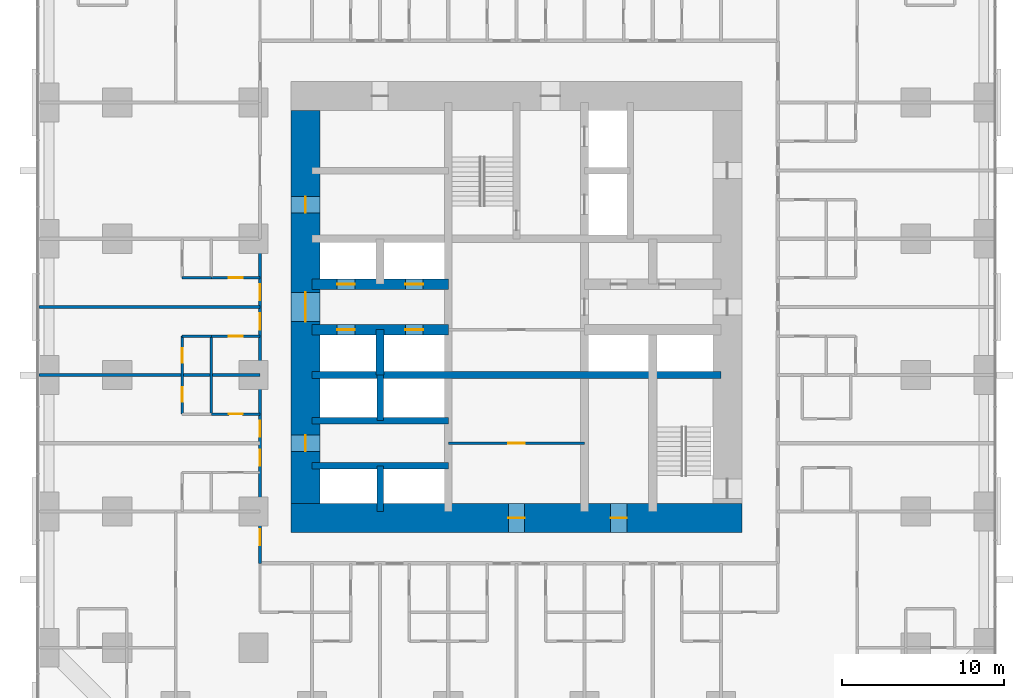
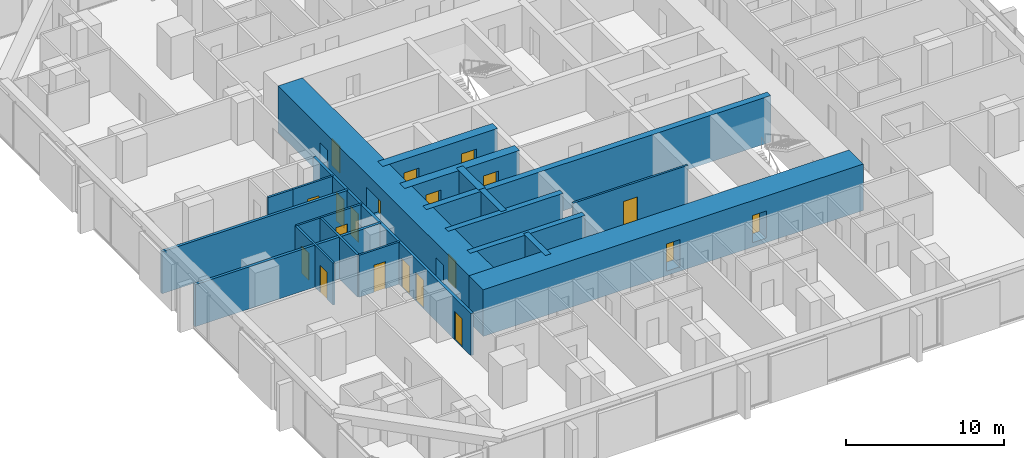
# One storey, part 12 of 18: 21 walls, 20 doors, 20 openings.
"""IFC4 building model written with IfcOpenShell, lengths in metres."""

import ifcopenshell
import ifcopenshell.guid

model = None  # the IFC model being written
_history = None  # IfcOwnerHistory: only IFC2X3 demands one
_inside = {}  # id of a spatial element -> (the spatial element, [elements in it])
_under = {}  # id of a project, library or spatial element -> (it, [spatial elements below it])
_declared = {}  # id of a project -> (the project, [libraries it declares])
_typed = {}  # id of a type object -> (the type object, [elements of that type])
_made_of = {}  # id of a material, layer set ... -> (it, [elements and type objects made of it])


def new_model(schema):
    """Start an empty IFC model of exactly this schema.

    Asked for "IFC4X3", IfcOpenShell would pick the latest addendum, in which some entities
    have other attributes; the version numbers below select the first issue.
    IFC2X3 requires an IfcOwnerHistory on every rooted entity: one is made here for all.
    """
    global model, _history
    if schema == "IFC4X3":
        model = ifcopenshell.file(schema_version=(4, 3, 0, 0))
    else:
        model = ifcopenshell.file(schema=schema)
    _inside.clear()
    _under.clear()
    _declared.clear()
    _typed.clear()
    _made_of.clear()
    _history = None
    if model.schema == "IFC2X3":
        org = make("IfcOrganization", Name="unknown")
        user = make(
            "IfcPersonAndOrganization",
            ThePerson=make("IfcPerson", FamilyName="unknown"),
            TheOrganization=org,
        )
        app = make(
            "IfcApplication",
            ApplicationDeveloper=org,
            Version="unknown",
            ApplicationFullName="unknown",
            ApplicationIdentifier="unknown",
        )
        _history = make(
            "IfcOwnerHistory",
            OwningUser=user,
            OwningApplication=app,
            ChangeAction="ADDED",
            CreationDate=0,
        )
    return model


def make(cls, **values):
    """One entity of the class cls with the attributes given. An attribute that is None is left unset."""
    return model.create_entity(
        cls, **{name: value for name, value in values.items() if value is not None}
    )


def rooted(cls, **values):
    """An entity with a GlobalId (a new one), such as an element, a storey or a relation."""
    return make(cls, GlobalId=ifcopenshell.guid.new(), OwnerHistory=_history, **values)


def si_unit(unit_type, name, prefix=None):
    """IfcSIUnit, for example si_unit("LENGTHUNIT", "METRE", prefix="MILLI")."""
    return make("IfcSIUnit", UnitType=unit_type, Prefix=prefix, Name=name)


def assignment(units):
    """IfcUnitAssignment: the units of a project."""
    return None if units is None else make("IfcUnitAssignment", Units=units)


def point(xyz):
    """IfcCartesianPoint."""
    return None if xyz is None else make("IfcCartesianPoint", Coordinates=xyz)


def direction(xyz):
    """IfcDirection."""
    return None if xyz is None else make("IfcDirection", DirectionRatios=xyz)


def frame(location, z_axis=None, x_axis=None):
    """IfcAxis2Placement3D, a coordinate frame: its origin and axes. An axis left out is left unset."""
    return make(
        "IfcAxis2Placement3D",
        Location=point(location),
        Axis=direction(z_axis),
        RefDirection=direction(x_axis),
    )


def frame_2d(location, x_axis=None):
    """IfcAxis2Placement2D, a coordinate frame in the plane: its origin and x axis."""
    return make(
        "IfcAxis2Placement2D", Location=point(location), RefDirection=direction(x_axis)
    )


def origin():
    """The frame at (0, 0, 0) with its axes left unset."""
    return frame((0.0, 0.0, 0.0))


def place(relative_to, where):
    """IfcLocalPlacement: puts the frame where relative to a parent placement (None: the world)."""
    return make(
        "IfcLocalPlacement", PlacementRelTo=relative_to, RelativePlacement=where
    )


def context(
    kind, dimensions, precision=None, world=None, true_north=None, identifier=None
):
    """IfcGeometricRepresentationContext, for example the 3D "Model" context."""
    return make(
        "IfcGeometricRepresentationContext",
        ContextIdentifier=identifier,
        ContextType=kind,
        CoordinateSpaceDimension=dimensions,
        Precision=precision,
        WorldCoordinateSystem=world,
        TrueNorth=true_north,
    )


def subcontext(parent, identifier, kind, view, scale=None):
    """IfcGeometricRepresentationSubContext, for example "Body" below "Model"."""
    return make(
        "IfcGeometricRepresentationSubContext",
        ContextIdentifier=identifier,
        ContextType=kind,
        ParentContext=parent,
        TargetScale=scale,
        TargetView=view,
    )


def project(units=None, contexts=None):
    """IfcProject with its units and contexts."""
    return rooted(
        "IfcProject",
        Name="project",
        RepresentationContexts=contexts,
        UnitsInContext=assignment(units),
    )


def spatial(cls, under=None, at=None, **own):
    """A site, building, storey or space (cls), placed at a placement, below another one or the project."""
    s = rooted(cls, ObjectPlacement=at, **own)
    if under is not None:
        _under.setdefault(under.id(), (under, []))[1].append(s)
    return s


def profile(cls, at=None, kind="AREA", **sizes):
    """A parametric profile (cls). Its sizes go by their IFC names, for example OverallWidth=200.0."""
    return make(cls, ProfileType=kind, Position=at, **sizes)


def rectangle(**sizes):
    """IfcRectangleProfileDef."""
    return profile("IfcRectangleProfileDef", **sizes)


def extrude(swept, where, along, depth):
    """IfcExtrudedAreaSolid: the profile swept, set in the frame where, extruded along a direction by depth."""
    return make(
        "IfcExtrudedAreaSolid",
        SweptArea=swept,
        Position=where,
        ExtrudedDirection=direction(along),
        Depth=depth,
    )


def shape(context_of_items, identifier, shape_type, items):
    """IfcShapeRepresentation: the items that make up one representation, for example the "Body"."""
    return make(
        "IfcShapeRepresentation",
        ContextOfItems=context_of_items,
        RepresentationIdentifier=identifier,
        RepresentationType=shape_type,
        Items=items,
    )


def material(Name=None, Category=None):
    """IfcMaterial."""
    return make("IfcMaterial", Name=Name, Category=Category)


def layer(
    of_material, thickness, ventilated=None, Name=None, Category=None, Priority=None
):
    """IfcMaterialLayer: one layer of a wall or slab, of a material (None: an air gap)."""
    return make(
        "IfcMaterialLayer",
        Material=of_material,
        LayerThickness=thickness,
        IsVentilated=ventilated,
        Name=Name,
        Category=Category,
        Priority=Priority,
    )


def layer_set(layers, Name=None):
    """IfcMaterialLayerSet."""
    return make("IfcMaterialLayerSet", MaterialLayers=layers, LayerSetName=Name)


def made_of(thing, what):
    """Note that an element or type object is made of a material, layer set ...; save() writes the relation."""
    if what is not None:
        _made_of.setdefault(what.id(), (what, []))[1].append(thing)
    return thing


def type_object(cls, material=None, **own):
    """A type object (cls), such as IfcWallType, which elements share."""
    return made_of(rooted(cls, **own), material)


def element(
    cls,
    number,
    at=None,
    inside=None,
    cuts=None,
    type_object=None,
    material=None,
    context=None,
    identifier="Body",
    shape_type=None,
    held_by="IfcProductDefinitionShape",
    body=None,
    shapes=None,
    **own,
):
    """One element of the class cls, such as IfcWall. Its Tag is "e" and its number.

    at: its placement. inside: the storey or other place that contains it. cuts: it is an
    opening in that element (IfcRelVoidsElement). A single representation is given by context,
    identifier, shape_type and body (its items); several are given by shapes. held_by: the class
    of the entity that holds the representations. save() writes the other relations.
    """
    e = rooted(cls, Tag="e%d" % number, ObjectPlacement=at, **own)
    if body is not None:
        shapes = [shape(context, identifier, shape_type, body)]
    if shapes is not None:
        e.Representation = make(held_by, Representations=shapes)
    if inside is not None:
        _inside.setdefault(inside.id(), (inside, []))[1].append(e)
    if cuts is not None:
        rooted(
            "IfcRelVoidsElement", RelatingBuildingElement=cuts, RelatedOpeningElement=e
        )
    if type_object is not None:
        _typed.setdefault(type_object.id(), (type_object, []))[1].append(e)
    return made_of(e, material)


def fill(opening, filler):
    """IfcRelFillsElement: the door or window that sits in an opening."""
    return rooted(
        "IfcRelFillsElement",
        RelatingOpeningElement=opening,
        RelatedBuildingElement=filler,
    )


def aggregate(whole, parts):
    """IfcRelAggregates: a whole, such as a stair, and the parts it consists of."""
    return rooted("IfcRelAggregates", RelatingObject=whole, RelatedObjects=parts)


def save(model, path):
    """Write the relations noted so far, then the file.

    IfcRelAggregates (storeys below a building ...), IfcRelContainedInSpatialStructure (elements
    in a storey), IfcRelDefinesByType, IfcRelAssociatesMaterial and IfcRelDeclares: one each for
    every whole, place, type object, material and project.
    """
    for whole, parts in _under.values():
        aggregate(whole, parts)
    for where, things in _inside.values():
        rooted(
            "IfcRelContainedInSpatialStructure",
            RelatedElements=things,
            RelatingStructure=where,
        )
    for kind, things in _typed.values():
        rooted("IfcRelDefinesByType", RelatedObjects=things, RelatingType=kind)
    for what, things in _made_of.values():
        rooted("IfcRelAssociatesMaterial", RelatedObjects=things, RelatingMaterial=what)
    for by, libraries in _declared.values():
        rooted("IfcRelDeclares", RelatingContext=by, RelatedDefinitions=libraries)
    model.write(path)


model = new_model("IFC4")

# Units and contexts
model_context = context("Model", 3, precision=1e-05, world=origin(), true_north=direction((0.0, 1.0)))
body_context = subcontext(model_context, "Body", "Model", "MODEL_VIEW")
ifc_project = project(units=[si_unit("LENGTHUNIT", "METRE"), si_unit("AREAUNIT", "SQUARE_METRE"), si_unit("VOLUMEUNIT", "CUBIC_METRE"), si_unit("PLANEANGLEUNIT", "RADIAN"), si_unit("MASSUNIT", "GRAM", prefix="KILO")], contexts=[model_context])

# Site, building, storey
site_placement = place(None, origin())
site = spatial("IfcSite", under=ifc_project, at=site_placement, CompositionType="ELEMENT")
building_placement = place(site_placement, origin())
building = spatial("IfcBuilding", under=site, at=building_placement, Name="Dunama Terrace Hotel", CompositionType="ELEMENT")
storey_placement = place(building_placement, frame((0.0, 0.0, 30.60009765625)))
storey = spatial("IfcBuildingStorey", under=building, at=storey_placement, Name="L06", CompositionType="ELEMENT", Elevation=30.60009765625)

# Wall, opening, door
ifc_material_1 = material(Name="Gypsum board partition", Category="masonry")
ifc_layer_1 = layer(ifc_material_1, 0.14990234375)
ifc_layer_set_1 = layer_set([ifc_layer_1], Name="Bathroom partition 150")
wall_type_1 = type_object("IfcWallType", Name="Bathroom partition 150", PredefinedType="PARTITIONING", material=ifc_layer_set_1)
wall_1_placement = place(storey_placement, frame((10.60009765625, 22.800048828125, 0.0), z_axis=(0.0, 0.0, 1.0), x_axis=(1.0, 0.0, 0.0)))
wall_1 = element("IfcWall", 1, at=wall_1_placement, inside=storey, type_object=wall_type_1, Name="Bathroom partition 150 L06", PredefinedType="PARTITIONING", context=body_context, shape_type="SweptSolid", body=[
    extrude(rectangle(XDim=3.0, YDim=0.14990234375, at=frame_2d((1.5, 0.0))), origin(), (0.0, 0.0, 1.0), 3.25),
])
opening_1_placement = place(wall_1_placement, frame((1.074951171875, 0.0, 0.0)))
opening_1 = element("IfcOpeningElement", 2, at=opening_1_placement, cuts=wall_1, Name="Opening L06-065", PredefinedType="OPENING", context=body_context, shape_type="SweptSolid", body=[
    extrude(rectangle(XDim=0.85009765625, YDim=2.10009765625, at=frame_2d((0.425048828125, 1.050048828125))), frame((0.0, 0.0849609375, 0.0), z_axis=(0.0, -1.0, 0.0), x_axis=(1.0, 0.0, 0.0)), (0.0, 0.0, 1.0), 0.169921875),
])
ifc_material_2 = material(Name="Timber door with steel frame", Category="steel")
door_type_1 = type_object("IfcDoorType", Name="Bathroom door 850", OperationType="SINGLE_SWING_LEFT", PredefinedType="DOOR", material=ifc_material_2)
door_1_placement = place(opening_1_placement, origin())
door_1 = element("IfcDoor", 3, at=door_1_placement, inside=storey, type_object=door_type_1, Name="Door to en-suite bathroom L06-065, type D2", OperationType="SINGLE_SWING_RIGHT", OverallHeight=2.10009765625, OverallWidth=0.85009765625, PredefinedType="DOOR", context=body_context, shape_type="SweptSolid", body=[
    extrude(rectangle(XDim=0.85009765625, YDim=2.10009765625, at=frame_2d((0.425048828125, 1.050048828125))), frame((0.0, 0.02490234375, 0.0), z_axis=(0.0, -1.0, 0.0), x_axis=(1.0, 0.0, 0.0)), (0.0, 0.0, 1.0), 0.050048828125),
])
fill(opening_1, door_1)

wall_2_placement = place(storey_placement, frame((10.60009765625, 27.60009765625, 0.0), z_axis=(0.0, 0.0, 1.0), x_axis=(1.0, 0.0, 0.0)))
wall_2 = element("IfcWall", 4, at=wall_2_placement, inside=storey, type_object=wall_type_1, Name="Bathroom partition 150 L06", PredefinedType="PARTITIONING", context=body_context, shape_type="SweptSolid", body=[
    extrude(rectangle(XDim=3.0, YDim=0.14990234375, at=frame_2d((1.5, 0.0))), origin(), (0.0, 0.0, 1.0), 3.25),
])
opening_2_placement = place(wall_2_placement, frame((1.074951171875, 0.0, 0.0)))
opening_2 = element("IfcOpeningElement", 5, at=opening_2_placement, cuts=wall_2, Name="Opening L06-068", PredefinedType="OPENING", context=body_context, shape_type="SweptSolid", body=[
    extrude(rectangle(XDim=0.85009765625, YDim=2.10009765625, at=frame_2d((0.425048828125, 1.050048828125))), frame((0.0, 0.0849609375, 0.0), z_axis=(0.0, -1.0, 0.0), x_axis=(1.0, 0.0, 0.0)), (0.0, 0.0, 1.0), 0.169921875),
])
door_2_placement = place(opening_2_placement, frame((0.85009765625, 0.0, 0.0), z_axis=(0.0, 0.0, 1.0), x_axis=(-1.0, 0.0, 0.0)))
door_2 = element("IfcDoor", 6, at=door_2_placement, inside=storey, type_object=door_type_1, Name="Door to en-suite bathroom L06-068, type D2", OperationType="SINGLE_SWING_LEFT", OverallHeight=2.10009765625, OverallWidth=0.85009765625, PredefinedType="DOOR", context=body_context, shape_type="SweptSolid", body=[
    extrude(rectangle(XDim=0.85009765625, YDim=2.10009765625, at=frame_2d((0.425048828125, 1.050048828125))), frame((0.0, 0.025146484375, 0.0), z_axis=(0.0, -1.0, 0.0), x_axis=(1.0, 0.0, 0.0)), (0.0, 0.0, 1.0), 0.050048828125),
])
fill(opening_2, door_2)

wall_3_placement = place(storey_placement, frame((10.60009765625, 31.199951171875, 0.0), z_axis=(0.0, 0.0, 1.0), x_axis=(1.0, 0.0, 0.0)))
wall_3 = element("IfcWall", 7, at=wall_3_placement, inside=storey, type_object=wall_type_1, Name="Bathroom partition 150 L06", PredefinedType="PARTITIONING", context=body_context, shape_type="SweptSolid", body=[
    extrude(rectangle(XDim=3.0, YDim=0.14990234375, at=frame_2d((1.5, 0.0))), origin(), (0.0, 0.0, 1.0), 3.25),
])
opening_3_placement = place(wall_3_placement, frame((1.074951171875, 0.0, 0.0)))
opening_3 = element("IfcOpeningElement", 8, at=opening_3_placement, cuts=wall_3, Name="Opening L06-071", PredefinedType="OPENING", context=body_context, shape_type="SweptSolid", body=[
    extrude(rectangle(XDim=0.85009765625, YDim=2.10009765625, at=frame_2d((0.425048828125, 1.050048828125))), frame((0.0, 0.0849609375, 0.0), z_axis=(0.0, -1.0, 0.0), x_axis=(1.0, 0.0, 0.0)), (0.0, 0.0, 1.0), 0.169921875),
])
door_3_placement = place(opening_3_placement, origin())
door_3 = element("IfcDoor", 9, at=door_3_placement, inside=storey, type_object=door_type_1, Name="Door to en-suite bathroom L06-071, type D2", OperationType="SINGLE_SWING_RIGHT", OverallHeight=2.10009765625, OverallWidth=0.85009765625, PredefinedType="DOOR", context=body_context, shape_type="SweptSolid", body=[
    extrude(rectangle(XDim=0.85009765625, YDim=2.10009765625, at=frame_2d((0.425048828125, 1.050048828125))), frame((0.0, 0.02490234375, 0.0), z_axis=(0.0, -1.0, 0.0), x_axis=(1.0, 0.0, 0.0)), (0.0, 0.0, 1.0), 0.050048828125),
])
fill(opening_3, door_3)

# Walls
ifc_material_3 = material(Name="Concrete C50/60", Category="concrete")
ifc_layer_2 = layer(ifc_material_3, 0.39990234375)
ifc_layer_set_2 = layer_set([ifc_layer_2], Name="Core inner wall 400")
wall_type_2 = type_object("IfcWallType", Name="Core inner wall 400", PredefinedType="SHEAR", material=ifc_layer_set_2)
for number, where, z_axis, x_axis, name in (
    (10, (21.0, 16.800048828125, -0.35009765625), (0.0, 0.0, 1.0), (0.0, 1.0, 0.0), "Core inner wall 400 L06"),
    (11, (21.0, 22.39990234375, -0.35009765625), (0.0, 0.0, 1.0), (0.0, 1.0, 0.0), "Core inner wall 400 L06"),
):
    element("IfcWall", number, at=place(storey_placement, frame(where, z_axis=z_axis, x_axis=x_axis)), inside=storey, type_object=wall_type_2, Name=name, PredefinedType="SHEAR", context=body_context, shape_type="SweptSolid", body=[
        extrude(rectangle(XDim=2.800048828125, YDim=0.39990234375, at=frame_2d((1.39990234375, 0.0))), origin(), (0.0, 0.0, 1.0), 3.60009765625),
    ])
for number, where, z_axis, x_axis, name in (
    (12, (16.800048828125, 19.60009765625, -0.35009765625), (0.0, 0.0, 1.0), (1.0, 0.0, 0.0), "Core inner wall 400 L06"),
    (13, (16.800048828125, 22.39990234375, -0.35009765625), (0.0, 0.0, 1.0), (1.0, 0.0, 0.0), "Core inner wall 400 L06"),
):
    element("IfcWall", number, at=place(storey_placement, frame(where, z_axis=z_axis, x_axis=x_axis)), inside=storey, type_object=wall_type_2, Name=name, PredefinedType="SHEAR", context=body_context, shape_type="SweptSolid", body=[
        extrude(rectangle(XDim=8.39990234375, YDim=0.39990234375, at=frame_2d((4.199951171875, 0.0))), origin(), (0.0, 0.0, 1.0), 3.60009765625),
    ])
ifc_material_4 = material(Name="Concrete C50/60", Category="concrete")
ifc_layer_3 = layer(ifc_material_4, 0.449951171875)
ifc_layer_set_3 = layer_set([ifc_layer_3], Name="Core inner wall 450")
wall_type_3 = type_object("IfcWallType", Name="Core inner wall 450", PredefinedType="SHEAR", material=ifc_layer_set_3)
wall_4_placement = place(storey_placement, frame((16.800048828125, 25.199951171875, -0.35009765625), z_axis=(0.0, 0.0, 1.0), x_axis=(1.0, 0.0, 0.0)))
element("IfcWall", 14, at=wall_4_placement, inside=storey, type_object=wall_type_3, Name="Core inner wall 450 L06", PredefinedType="SHEAR", context=body_context, shape_type="SweptSolid", body=[
    extrude(rectangle(XDim=25.199951171875, YDim=0.449951171875, at=frame_2d((12.60009765625, 0.0))), origin(), (0.0, 0.0, 1.0), 3.60009765625),
])
ifc_material_5 = material(Name="Concrete C50/60", Category="concrete")
ifc_layer_4 = layer(ifc_material_5, 0.5)
ifc_layer_set_4 = layer_set([ifc_layer_4], Name="Core inner wall 500")
wall_type_4 = type_object("IfcWallType", Name="Core inner wall 500", PredefinedType="SHEAR", material=ifc_layer_set_4)
wall_5_placement = place(storey_placement, frame((21.0, 25.199951171875, -0.35009765625), z_axis=(0.0, 0.0, 1.0), x_axis=(0.0, 1.0, 0.0)))
element("IfcWall", 15, at=wall_5_placement, inside=storey, type_object=wall_type_4, Name="Core inner wall 500 L06", PredefinedType="SHEAR", context=body_context, shape_type="SweptSolid", body=[
    extrude(rectangle(XDim=2.800048828125, YDim=0.5, at=frame_2d((1.39990234375, 0.0))), origin(), (0.0, 0.0, 1.0), 3.60009765625),
])

# Wall, openings, doors
ifc_material_6 = material(Name="Concrete C50/60", Category="concrete")
ifc_layer_5 = layer(ifc_material_6, 0.64990234375)
ifc_layer_set_5 = layer_set([ifc_layer_5], Name="Core inner wall 650")
wall_type_5 = type_object("IfcWallType", Name="Core inner wall 650", PredefinedType="SHEAR", material=ifc_layer_set_5)
wall_6_placement = place(storey_placement, frame((16.800048828125, 28.0, -0.35009765625), z_axis=(0.0, 0.0, 1.0), x_axis=(1.0, 0.0, 0.0)))
wall_6 = element("IfcWall", 16, at=wall_6_placement, inside=storey, type_object=wall_type_5, Name="Core inner wall 650 L06", PredefinedType="SHEAR", context=body_context, shape_type="SweptSolid", body=[
    extrude(rectangle(XDim=8.39990234375, YDim=0.64990234375, at=frame_2d((4.199951171875, 0.0))), origin(), (0.0, 0.0, 1.0), 3.60009765625),
])
opening_4_placement = place(wall_6_placement, frame((1.550048828125, 0.0, 0.35009765625)))
opening_4 = element("IfcOpeningElement", 17, at=opening_4_placement, cuts=wall_6, Name="Opening L06-003", PredefinedType="OPENING", context=body_context, shape_type="SweptSolid", body=[
    extrude(rectangle(XDim=1.10009765625, YDim=2.199951171875, at=frame_2d((0.550048828125, 1.10009765625))), frame((0.0, 0.3349609375, 0.0), z_axis=(0.0, -1.0, 0.0), x_axis=(1.0, 0.0, 0.0)), (0.0, 0.0, 1.0), 0.669921875),
])
opening_5_placement = place(wall_6_placement, frame((5.75, 0.0, 0.35009765625)))
opening_5 = element("IfcOpeningElement", 18, at=opening_5_placement, cuts=wall_6, Name="Opening L06-004", PredefinedType="OPENING", context=body_context, shape_type="SweptSolid", body=[
    extrude(rectangle(XDim=1.10009765625, YDim=2.199951171875, at=frame_2d((0.550048828125, 1.10009765625))), frame((0.0, 0.3349609375, 0.0), z_axis=(0.0, -1.0, 0.0), x_axis=(1.0, 0.0, 0.0)), (0.0, 0.0, 1.0), 0.669921875),
])
ifc_material_7 = material(Name="Stainless steel lift door", Category="steel")
door_type_2 = type_object("IfcDoorType", Name="Lift landing door 1100", OperationType="DOUBLE_DOOR_SLIDING", PredefinedType="DOOR", material=ifc_material_7)
door_4_placement = place(opening_4_placement, origin())
door_4 = element("IfcDoor", 19, at=door_4_placement, inside=storey, type_object=door_type_2, Name="Landing door PA1 L06-003, type LD1", OperationType="DOUBLE_DOOR_SLIDING", OverallHeight=2.199951171875, OverallWidth=1.10009765625, PredefinedType="DOOR", context=body_context, shape_type="SweptSolid", body=[
    extrude(rectangle(XDim=1.10009765625, YDim=2.199951171875, at=frame_2d((0.550048828125, 1.10009765625))), frame((0.0, 0.02490234375, 0.0), z_axis=(0.0, -1.0, 0.0), x_axis=(1.0, 0.0, 0.0)), (0.0, 0.0, 1.0), 0.050048828125),
])
fill(opening_4, door_4)
door_5_placement = place(opening_5_placement, origin())
door_5 = element("IfcDoor", 20, at=door_5_placement, inside=storey, type_object=door_type_2, Name="Landing door PA2 L06-004, type LD1", OperationType="DOUBLE_DOOR_SLIDING", OverallHeight=2.199951171875, OverallWidth=1.10009765625, PredefinedType="DOOR", context=body_context, shape_type="SweptSolid", body=[
    extrude(rectangle(XDim=1.10009765625, YDim=2.199951171875, at=frame_2d((0.550048828125, 1.10009765625))), frame((0.0, 0.02490234375, 0.0), z_axis=(0.0, -1.0, 0.0), x_axis=(1.0, 0.0, 0.0)), (0.0, 0.0, 1.0), 0.050048828125),
])
fill(opening_5, door_5)

wall_7_placement = place(storey_placement, frame((16.800048828125, 30.800048828125, -0.35009765625), z_axis=(0.0, 0.0, 1.0), x_axis=(1.0, 0.0, 0.0)))
wall_7 = element("IfcWall", 21, at=wall_7_placement, inside=storey, type_object=wall_type_5, Name="Core inner wall 650 L06", PredefinedType="SHEAR", context=body_context, shape_type="SweptSolid", body=[
    extrude(rectangle(XDim=8.39990234375, YDim=0.64990234375, at=frame_2d((4.199951171875, 0.0))), origin(), (0.0, 0.0, 1.0), 3.60009765625),
])
opening_6_placement = place(wall_7_placement, frame((1.550048828125, 0.0, 0.35009765625)))
opening_6 = element("IfcOpeningElement", 22, at=opening_6_placement, cuts=wall_7, Name="Opening L06-005", PredefinedType="OPENING", context=body_context, shape_type="SweptSolid", body=[
    extrude(rectangle(XDim=1.10009765625, YDim=2.199951171875, at=frame_2d((0.550048828125, 1.10009765625))), frame((0.0, 0.3349609375, 0.0), z_axis=(0.0, -1.0, 0.0), x_axis=(1.0, 0.0, 0.0)), (0.0, 0.0, 1.0), 0.669921875),
])
opening_7_placement = place(wall_7_placement, frame((5.75, 0.0, 0.35009765625)))
opening_7 = element("IfcOpeningElement", 23, at=opening_7_placement, cuts=wall_7, Name="Opening L06-006", PredefinedType="OPENING", context=body_context, shape_type="SweptSolid", body=[
    extrude(rectangle(XDim=1.10009765625, YDim=2.199951171875, at=frame_2d((0.550048828125, 1.10009765625))), frame((0.0, 0.3349609375, 0.0), z_axis=(0.0, -1.0, 0.0), x_axis=(1.0, 0.0, 0.0)), (0.0, 0.0, 1.0), 0.669921875),
])
door_6_placement = place(opening_6_placement, origin())
door_6 = element("IfcDoor", 24, at=door_6_placement, inside=storey, type_object=door_type_2, Name="Landing door PA3 L06-005, type LD1", OperationType="DOUBLE_DOOR_SLIDING", OverallHeight=2.199951171875, OverallWidth=1.10009765625, PredefinedType="DOOR", context=body_context, shape_type="SweptSolid", body=[
    extrude(rectangle(XDim=1.10009765625, YDim=2.199951171875, at=frame_2d((0.550048828125, 1.10009765625))), frame((0.0, 0.02490234375, 0.0), z_axis=(0.0, -1.0, 0.0), x_axis=(1.0, 0.0, 0.0)), (0.0, 0.0, 1.0), 0.050048828125),
])
fill(opening_6, door_6)
door_7_placement = place(opening_7_placement, origin())
door_7 = element("IfcDoor", 25, at=door_7_placement, inside=storey, type_object=door_type_2, Name="Landing door PA4 L06-006, type LD1", OperationType="DOUBLE_DOOR_SLIDING", OverallHeight=2.199951171875, OverallWidth=1.10009765625, PredefinedType="DOOR", context=body_context, shape_type="SweptSolid", body=[
    extrude(rectangle(XDim=1.10009765625, YDim=2.199951171875, at=frame_2d((0.550048828125, 1.10009765625))), frame((0.0, 0.02490234375, 0.0), z_axis=(0.0, -1.0, 0.0), x_axis=(1.0, 0.0, 0.0)), (0.0, 0.0, 1.0), 0.050048828125),
])
fill(opening_7, door_7)

ifc_material_8 = material(Name="Concrete C60/75", Category="concrete")
ifc_layer_6 = layer(ifc_material_8, 1.800048828125)
ifc_layer_set_6 = layer_set([ifc_layer_6], Name="Core wall 1800")
wall_type_6 = type_object("IfcWallType", Name="Core wall 1800", PredefinedType="SHEAR", material=ifc_layer_set_6)
wall_8_placement = place(storey_placement, frame((15.5, 16.39990234375, -0.35009765625), z_axis=(0.0, 0.0, 1.0), x_axis=(1.0, 0.0, 0.0)))
wall_8 = element("IfcWall", 26, at=wall_8_placement, inside=storey, type_object=wall_type_6, Name="Core wall south L06", PredefinedType="SHEAR", context=body_context, shape_type="SweptSolid", body=[
    extrude(rectangle(XDim=27.800048828125, YDim=1.800048828125, at=frame_2d((13.89990234375, 0.0))), origin(), (0.0, 0.0, 1.0), 3.60009765625),
])
opening_8_placement = place(wall_8_placement, frame((13.39990234375, 0.0, 0.35009765625)))
opening_8 = element("IfcOpeningElement", 27, at=opening_8_placement, cuts=wall_8, Name="Opening L06-109", PredefinedType="OPENING", context=body_context, shape_type="SweptSolid", body=[
    extrude(rectangle(XDim=1.0, YDim=2.10009765625, at=frame_2d((0.5, 1.050048828125))), frame((0.0, 0.909912109375, 0.0), z_axis=(0.0, -1.0, 0.0), x_axis=(1.0, 0.0, 0.0)), (0.0, 0.0, 1.0), 1.820068359375),
])
opening_9_placement = place(wall_8_placement, frame((19.699951171875, 0.0, 0.35009765625)))
opening_9 = element("IfcOpeningElement", 28, at=opening_9_placement, cuts=wall_8, Name="Opening L06-111", PredefinedType="OPENING", context=body_context, shape_type="SweptSolid", body=[
    extrude(rectangle(XDim=1.0, YDim=2.10009765625, at=frame_2d((0.5, 1.050048828125))), frame((0.0, 0.909912109375, 0.0), z_axis=(0.0, -1.0, 0.0), x_axis=(1.0, 0.0, 0.0)), (0.0, 0.0, 1.0), 1.820068359375),
])
ifc_material_9 = material(Name="Timber door with steel frame", Category="steel")
door_type_3 = type_object("IfcDoorType", Name="Service door 1000", OperationType="SINGLE_SWING_LEFT", PredefinedType="DOOR", material=ifc_material_9)
door_8_placement = place(opening_8_placement, origin())
door_8 = element("IfcDoor", 29, at=door_8_placement, inside=storey, type_object=door_type_3, Name="Door to corridor air handling room L06-109, type D7", OperationType="SINGLE_SWING_LEFT", OverallHeight=2.10009765625, OverallWidth=1.0, PredefinedType="DOOR", context=body_context, shape_type="SweptSolid", body=[
    extrude(rectangle(XDim=1.0, YDim=2.10009765625, at=frame_2d((0.5, 1.050048828125))), frame((0.0, 0.02490234375, 0.0), z_axis=(0.0, -1.0, 0.0), x_axis=(1.0, 0.0, 0.0)), (0.0, 0.0, 1.0), 0.050048828125),
])
fill(opening_8, door_8)
door_9_placement = place(opening_9_placement, origin())
door_9 = element("IfcDoor", 30, at=door_9_placement, inside=storey, type_object=door_type_3, Name="Door to water riser room L06-111, type D7", OperationType="SINGLE_SWING_RIGHT", OverallHeight=2.10009765625, OverallWidth=1.0, PredefinedType="DOOR", context=body_context, shape_type="SweptSolid", body=[
    extrude(rectangle(XDim=1.0, YDim=2.10009765625, at=frame_2d((0.5, 1.050048828125))), frame((0.0, 0.02490234375, 0.0), z_axis=(0.0, -1.0, 0.0), x_axis=(1.0, 0.0, 0.0)), (0.0, 0.0, 1.0), 0.050048828125),
])
fill(opening_9, door_9)

wall_9_placement = place(storey_placement, frame((16.39990234375, 41.5, -0.35009765625), z_axis=(0.0, 0.0, 1.0), x_axis=(0.0, -1.0, 0.0)))
wall_9 = element("IfcWall", 31, at=wall_9_placement, inside=storey, type_object=wall_type_6, Name="Core wall west L06", PredefinedType="SHEAR", context=body_context, shape_type="SweptSolid", body=[
    extrude(rectangle(XDim=24.199951171875, YDim=1.800048828125, at=frame_2d((12.10009765625, 0.0))), origin(), (0.0, 0.0, 1.0), 3.60009765625),
])
opening_10_placement = place(wall_9_placement, frame((11.199951171875, 0.0, 0.35009765625)))
opening_10 = element("IfcOpeningElement", 32, at=opening_10_placement, cuts=wall_9, Name="Opening L06-098", PredefinedType="OPENING", context=body_context, shape_type="SweptSolid", body=[
    extrude(rectangle(XDim=1.800048828125, YDim=2.199951171875, at=frame_2d((0.89990234375, 1.10009765625))), frame((0.0, 0.909912109375, 0.0), z_axis=(0.0, -1.0, 0.0), x_axis=(1.0, 0.0, 0.0)), (0.0, 0.0, 1.0), 1.820068359375),
])
opening_11_placement = place(wall_9_placement, frame((20.0, 0.0, 0.35009765625)))
opening_11 = element("IfcOpeningElement", 33, at=opening_11_placement, cuts=wall_9, Name="Opening L06-099", PredefinedType="OPENING", context=body_context, shape_type="SweptSolid", body=[
    extrude(rectangle(XDim=1.0, YDim=2.10009765625, at=frame_2d((0.5, 1.050048828125))), frame((0.0, 0.909912109375, 0.0), z_axis=(0.0, -1.0, 0.0), x_axis=(1.0, 0.0, 0.0)), (0.0, 0.0, 1.0), 1.820068359375),
])
opening_12_placement = place(wall_9_placement, frame((5.300048828125, 0.0, 0.35009765625)))
opening_12 = element("IfcOpeningElement", 34, at=opening_12_placement, cuts=wall_9, Name="Opening L06-100", PredefinedType="OPENING", context=body_context, shape_type="SweptSolid", body=[
    extrude(rectangle(XDim=1.0, YDim=2.10009765625, at=frame_2d((0.5, 1.050048828125))), frame((0.0, 0.909912109375, 0.0), z_axis=(0.0, -1.0, 0.0), x_axis=(1.0, 0.0, 0.0)), (0.0, 0.0, 1.0), 1.820068359375),
])
ifc_material_10 = material(Name="Timber door with steel frame", Category="steel")
door_type_4 = type_object("IfcDoorType", Name="Lift lobby double door 1800", OperationType="DOUBLE_DOOR_DOUBLE_SWING", PredefinedType="DOOR", material=ifc_material_10)
door_10_placement = place(opening_10_placement, origin())
door_10 = element("IfcDoor", 35, at=door_10_placement, inside=storey, type_object=door_type_4, Name="Door to lift lobby L06-098, type D3", OperationType="DOUBLE_DOOR_DOUBLE_SWING", OverallHeight=2.199951171875, OverallWidth=1.800048828125, PredefinedType="DOOR", context=body_context, shape_type="SweptSolid", body=[
    extrude(rectangle(XDim=1.800048828125, YDim=2.199951171875, at=frame_2d((0.89990234375, 1.10009765625))), frame((0.0, 0.02490234375, 0.0), z_axis=(0.0, -1.0, 0.0), x_axis=(1.0, 0.0, 0.0)), (0.0, 0.0, 1.0), 0.050048828125),
])
fill(opening_10, door_10)
door_11_placement = place(opening_11_placement, origin())
door_11 = element("IfcDoor", 36, at=door_11_placement, inside=storey, type_object=door_type_3, Name="Door to service lobby L06-099, type D7", OperationType="SINGLE_SWING_LEFT", OverallHeight=2.10009765625, OverallWidth=1.0, PredefinedType="DOOR", context=body_context, shape_type="SweptSolid", body=[
    extrude(rectangle(XDim=1.0, YDim=2.10009765625, at=frame_2d((0.5, 1.050048828125))), frame((0.0, 0.02490234375, 0.0), z_axis=(0.0, -1.0, 0.0), x_axis=(1.0, 0.0, 0.0)), (0.0, 0.0, 1.0), 0.050048828125),
])
fill(opening_11, door_11)
door_12_placement = place(opening_12_placement, origin())
door_12 = element("IfcDoor", 37, at=door_12_placement, inside=storey, type_object=door_type_3, Name="Door to electrical room L06-100, type D7", OperationType="SINGLE_SWING_RIGHT", OverallHeight=2.10009765625, OverallWidth=1.0, PredefinedType="DOOR", context=body_context, shape_type="SweptSolid", body=[
    extrude(rectangle(XDim=1.0, YDim=2.10009765625, at=frame_2d((0.5, 1.050048828125))), frame((0.0, 0.02490234375, 0.0), z_axis=(0.0, -1.0, 0.0), x_axis=(1.0, 0.0, 0.0)), (0.0, 0.0, 1.0), 0.050048828125),
])
fill(opening_12, door_12)

ifc_material_11 = material(Name="Concrete blockwork", Category="masonry")
ifc_layer_7 = layer(ifc_material_11, 0.199951171875)
ifc_layer_set_7 = layer_set([ifc_layer_7], Name="Corridor partition 200")
wall_type_7 = type_object("IfcWallType", Name="Corridor partition 200", PredefinedType="PARTITIONING", material=ifc_layer_set_7)
wall_10_placement = place(storey_placement, frame((13.60009765625, 13.60009765625, 0.0), z_axis=(0.0, 0.0, 1.0), x_axis=(0.0, 1.0, 0.0)))
wall_10 = element("IfcWall", 38, at=wall_10_placement, inside=storey, type_object=wall_type_7, Name="Corridor partition 200 L06", PredefinedType="PARTITIONING", context=body_context, shape_type="SweptSolid", body=[
    extrude(rectangle(XDim=20.0, YDim=0.199951171875, at=frame_2d((10.0, 0.0))), origin(), (0.0, 0.0, 1.0), 3.25),
])
opening_13_placement = place(wall_10_placement, frame((6.0, 0.0, 0.0)))
opening_13 = element("IfcOpeningElement", 39, at=opening_13_placement, cuts=wall_10, Name="Opening L06-061", PredefinedType="OPENING", context=body_context, shape_type="SweptSolid", body=[
    extrude(rectangle(XDim=1.0, YDim=2.199951171875, at=frame_2d((0.5, 1.10009765625))), frame((0.0, 0.10986328125, 0.0), z_axis=(0.0, -1.0, 0.0), x_axis=(1.0, 0.0, 0.0)), (0.0, 0.0, 1.0), 0.219970703125),
])
opening_14_placement = place(wall_10_placement, frame((7.800048828125, 0.0, 0.0)))
opening_14 = element("IfcOpeningElement", 40, at=opening_14_placement, cuts=wall_10, Name="Opening L06-064", PredefinedType="OPENING", context=body_context, shape_type="SweptSolid", body=[
    extrude(rectangle(XDim=1.0, YDim=2.199951171875, at=frame_2d((0.5, 1.10009765625))), frame((0.0, 0.10986328125, 0.0), z_axis=(0.0, -1.0, 0.0), x_axis=(1.0, 0.0, 0.0)), (0.0, 0.0, 1.0), 0.219970703125),
])
opening_15_placement = place(wall_10_placement, frame((14.39990234375, 0.0, 0.0)))
opening_15 = element("IfcOpeningElement", 41, at=opening_15_placement, cuts=wall_10, Name="Opening L06-067", PredefinedType="OPENING", context=body_context, shape_type="SweptSolid", body=[
    extrude(rectangle(XDim=1.0, YDim=2.199951171875, at=frame_2d((0.5, 1.10009765625))), frame((0.0, 0.10986328125, 0.0), z_axis=(0.0, -1.0, 0.0), x_axis=(1.0, 0.0, 0.0)), (0.0, 0.0, 1.0), 0.219970703125),
])
opening_16_placement = place(wall_10_placement, frame((16.199951171875, 0.0, 0.0)))
opening_16 = element("IfcOpeningElement", 42, at=opening_16_placement, cuts=wall_10, Name="Opening L06-070", PredefinedType="OPENING", context=body_context, shape_type="SweptSolid", body=[
    extrude(rectangle(XDim=1.0, YDim=2.199951171875, at=frame_2d((0.5, 1.10009765625))), frame((0.0, 0.10986328125, 0.0), z_axis=(0.0, -1.0, 0.0), x_axis=(1.0, 0.0, 0.0)), (0.0, 0.0, 1.0), 0.219970703125),
])
opening_17_placement = place(wall_10_placement, frame((1.10009765625, 0.0, 0.0)))
opening_17 = element("IfcOpeningElement", 43, at=opening_17_placement, cuts=wall_10, Name="Opening L06-074", PredefinedType="OPENING", context=body_context, shape_type="SweptSolid", body=[
    extrude(rectangle(XDim=1.0, YDim=2.199951171875, at=frame_2d((0.5, 1.10009765625))), frame((0.0, 0.10986328125, 0.0), z_axis=(0.0, -1.0, 0.0), x_axis=(1.0, 0.0, 0.0)), (0.0, 0.0, 1.0), 0.219970703125),
])
ifc_material_12 = material(Name="Timber door with steel frame", Category="steel")
door_type_5 = type_object("IfcDoorType", Name="Guest room door 1000", OperationType="SINGLE_SWING_LEFT", PredefinedType="DOOR", material=ifc_material_12)
door_13_placement = place(opening_13_placement, origin())
door_13 = element("IfcDoor", 44, at=door_13_placement, inside=storey, type_object=door_type_5, Name="Door to deluxe room L06-061, type D1", OperationType="SINGLE_SWING_RIGHT", OverallHeight=2.199951171875, OverallWidth=1.0, PredefinedType="DOOR", context=body_context, shape_type="SweptSolid", body=[
    extrude(rectangle(XDim=1.0, YDim=2.199951171875, at=frame_2d((0.5, 1.10009765625))), frame((0.0, 0.02490234375, 0.0), z_axis=(0.0, -1.0, 0.0), x_axis=(1.0, 0.0, 0.0)), (0.0, 0.0, 1.0), 0.050048828125),
])
fill(opening_13, door_13)
door_14_placement = place(opening_14_placement, origin())
door_14 = element("IfcDoor", 45, at=door_14_placement, inside=storey, type_object=door_type_5, Name="Door to deluxe room L06-064, type D1", OperationType="SINGLE_SWING_LEFT", OverallHeight=2.199951171875, OverallWidth=1.0, PredefinedType="DOOR", context=body_context, shape_type="SweptSolid", body=[
    extrude(rectangle(XDim=1.0, YDim=2.199951171875, at=frame_2d((0.5, 1.10009765625))), frame((0.0, 0.02490234375, 0.0), z_axis=(0.0, -1.0, 0.0), x_axis=(1.0, 0.0, 0.0)), (0.0, 0.0, 1.0), 0.050048828125),
])
fill(opening_14, door_14)
door_15_placement = place(opening_15_placement, origin())
door_15 = element("IfcDoor", 46, at=door_15_placement, inside=storey, type_object=door_type_5, Name="Door to deluxe room L06-067, type D1", OperationType="SINGLE_SWING_RIGHT", OverallHeight=2.199951171875, OverallWidth=1.0, PredefinedType="DOOR", context=body_context, shape_type="SweptSolid", body=[
    extrude(rectangle(XDim=1.0, YDim=2.199951171875, at=frame_2d((0.5, 1.10009765625))), frame((0.0, 0.02490234375, 0.0), z_axis=(0.0, -1.0, 0.0), x_axis=(1.0, 0.0, 0.0)), (0.0, 0.0, 1.0), 0.050048828125),
])
fill(opening_15, door_15)
door_16_placement = place(opening_16_placement, origin())
door_16 = element("IfcDoor", 47, at=door_16_placement, inside=storey, type_object=door_type_5, Name="Door to deluxe room L06-070, type D1", OperationType="SINGLE_SWING_LEFT", OverallHeight=2.199951171875, OverallWidth=1.0, PredefinedType="DOOR", context=body_context, shape_type="SweptSolid", body=[
    extrude(rectangle(XDim=1.0, YDim=2.199951171875, at=frame_2d((0.5, 1.10009765625))), frame((0.0, 0.02490234375, 0.0), z_axis=(0.0, -1.0, 0.0), x_axis=(1.0, 0.0, 0.0)), (0.0, 0.0, 1.0), 0.050048828125),
])
fill(opening_16, door_16)
door_17_placement = place(opening_17_placement, origin())
door_17 = element("IfcDoor", 48, at=door_17_placement, inside=storey, type_object=door_type_5, Name="Door to corner suite living room L06-074, type D1", OperationType="SINGLE_SWING_RIGHT", OverallHeight=2.199951171875, OverallWidth=1.0, PredefinedType="DOOR", context=body_context, shape_type="SweptSolid", body=[
    extrude(rectangle(XDim=1.0, YDim=2.199951171875, at=frame_2d((0.5, 1.10009765625))), frame((0.0, 0.02490234375, 0.0), z_axis=(0.0, -1.0, 0.0), x_axis=(1.0, 0.0, 0.0)), (0.0, 0.0, 1.0), 0.050048828125),
])
fill(opening_17, door_17)

# Walls
ifc_material_13 = material(Name="Concrete blockwork", Category="masonry")
ifc_layer_8 = layer(ifc_material_13, 0.199951171875)
ifc_layer_set_8 = layer_set([ifc_layer_8], Name="Party wall 200")
wall_type_8 = type_object("IfcWallType", Name="Party wall 200", PredefinedType="PARTITIONING", material=ifc_layer_set_8)
for number, where, z_axis, x_axis, name in (
    (49, (-0.008056640625, 25.199951171875, 0.0), (0.0, 0.0, 1.0), (1.0, 0.0, 0.0), "Party wall 200 L06"),
    (50, (-0.008056640625, 29.39990234375, 0.0), (0.0, 0.0, 1.0), (1.0, 0.0, 0.0), "Party wall 200 L06"),
):
    element("IfcWall", number, at=place(storey_placement, frame(where, z_axis=z_axis, x_axis=x_axis)), inside=storey, type_object=wall_type_8, Name=name, PredefinedType="PARTITIONING", context=body_context, shape_type="SweptSolid", body=[
        extrude(rectangle(XDim=13.608154296875, YDim=0.199951171875, at=frame_2d((6.80419921875, 0.0))), origin(), (0.0, 0.0, 1.0), 3.25),
    ])

# Wall, openings, doors
ifc_material_14 = material(Name="Gypsum board partition", Category="masonry")
ifc_layer_9 = layer(ifc_material_14, 0.14990234375)
ifc_layer_set_9 = layer_set([ifc_layer_9], Name="Room partition 150")
wall_type_9 = type_object("IfcWallType", Name="Room partition 150", PredefinedType="PARTITIONING", material=ifc_layer_set_9)
wall_11_placement = place(storey_placement, frame((8.800048828125, 22.800048828125, 0.0), z_axis=(0.0, 0.0, 1.0), x_axis=(0.0, 1.0, 0.0)))
wall_11 = element("IfcWall", 51, at=wall_11_placement, inside=storey, type_object=wall_type_9, Name="Room partition 150 L06", PredefinedType="PARTITIONING", context=body_context, shape_type="SweptSolid", body=[
    extrude(rectangle(XDim=4.800048828125, YDim=0.14990234375, at=frame_2d((2.39990234375, 0.0))), origin(), (0.0, 0.0, 1.0), 3.25),
])
opening_18_placement = place(wall_11_placement, frame((0.75, 0.0, 0.0)))
opening_18 = element("IfcOpeningElement", 52, at=opening_18_placement, cuts=wall_11, Name="Opening L06-066", PredefinedType="OPENING", context=body_context, shape_type="SweptSolid", body=[
    extrude(rectangle(XDim=0.89990234375, YDim=2.10009765625, at=frame_2d((0.449951171875, 1.050048828125))), frame((0.0, 0.0849609375, 0.0), z_axis=(0.0, -1.0, 0.0), x_axis=(1.0, 0.0, 0.0)), (0.0, 0.0, 1.0), 0.169921875),
])
opening_19_placement = place(wall_11_placement, frame((3.14990234375, 0.0, 0.0)))
opening_19 = element("IfcOpeningElement", 53, at=opening_19_placement, cuts=wall_11, Name="Opening L06-069", PredefinedType="OPENING", context=body_context, shape_type="SweptSolid", body=[
    extrude(rectangle(XDim=0.89990234375, YDim=2.10009765625, at=frame_2d((0.449951171875, 1.050048828125))), frame((0.0, 0.0849609375, 0.0), z_axis=(0.0, -1.0, 0.0), x_axis=(1.0, 0.0, 0.0)), (0.0, 0.0, 1.0), 0.169921875),
])
ifc_material_15 = material(Name="Timber door with steel frame", Category="steel")
door_type_6 = type_object("IfcDoorType", Name="Suite internal door 900", OperationType="SINGLE_SWING_LEFT", PredefinedType="DOOR", material=ifc_material_15)
door_18_placement = place(opening_18_placement, frame((0.89990234375, 0.0, 0.0), z_axis=(0.0, 0.0, 1.0), x_axis=(-1.0, 0.0, 0.0)))
door_18 = element("IfcDoor", 54, at=door_18_placement, inside=storey, type_object=door_type_6, Name="Door to walk-in wardrobe L06-066, type D16", OperationType="SINGLE_SWING_LEFT", OverallHeight=2.10009765625, OverallWidth=0.89990234375, PredefinedType="DOOR", context=body_context, shape_type="SweptSolid", body=[
    extrude(rectangle(XDim=0.89990234375, YDim=2.10009765625, at=frame_2d((0.449951171875, 1.050048828125))), frame((0.0, 0.025146484375, 0.0), z_axis=(0.0, -1.0, 0.0), x_axis=(1.0, 0.0, 0.0)), (0.0, 0.0, 1.0), 0.050048828125),
])
fill(opening_18, door_18)
door_19_placement = place(opening_19_placement, frame((0.89990234375, 0.0, 0.0), z_axis=(0.0, 0.0, 1.0), x_axis=(-1.0, 0.0, 0.0)))
door_19 = element("IfcDoor", 55, at=door_19_placement, inside=storey, type_object=door_type_6, Name="Door to walk-in wardrobe L06-069, type D16", OperationType="SINGLE_SWING_RIGHT", OverallHeight=2.10009765625, OverallWidth=0.89990234375, PredefinedType="DOOR", context=body_context, shape_type="SweptSolid", body=[
    extrude(rectangle(XDim=0.89990234375, YDim=2.10009765625, at=frame_2d((0.449951171875, 1.050048828125))), frame((0.0, 0.025146484375, 0.0), z_axis=(0.0, -1.0, 0.0), x_axis=(1.0, 0.0, 0.0)), (0.0, 0.0, 1.0), 0.050048828125),
])
fill(opening_19, door_19)

# Wall
wall_12_placement = place(storey_placement, frame((10.60009765625, 22.800048828125, 0.0), z_axis=(0.0, 0.0, 1.0), x_axis=(0.0, 1.0, 0.0)))
element("IfcWall", 56, at=wall_12_placement, inside=storey, type_object=wall_type_9, Name="Room partition 150 L06", PredefinedType="PARTITIONING", context=body_context, shape_type="SweptSolid", body=[
    extrude(rectangle(XDim=4.800048828125, YDim=0.14990234375, at=frame_2d((2.39990234375, 0.0))), origin(), (0.0, 0.0, 1.0), 3.25),
])

# Wall, opening, door
wall_13_placement = place(storey_placement, frame((25.199951171875, 21.0, 0.0), z_axis=(0.0, 0.0, 1.0), x_axis=(1.0, 0.0, 0.0)))
wall_13 = element("IfcWall", 57, at=wall_13_placement, inside=storey, type_object=wall_type_9, Name="Room partition 150 L06", PredefinedType="PARTITIONING", context=body_context, shape_type="SweptSolid", body=[
    extrude(rectangle(XDim=8.400146484375, YDim=0.14990234375, at=frame_2d((4.2001953125, 0.0))), origin(), (0.0, 0.0, 1.0), 3.25),
])
opening_20_placement = place(wall_13_placement, frame((3.699951171875, 0.0, 0.0)))
opening_20 = element("IfcOpeningElement", 58, at=opening_20_placement, cuts=wall_13, Name="Opening L06-110", PredefinedType="OPENING", context=body_context, shape_type="SweptSolid", body=[
    extrude(rectangle(XDim=1.0, YDim=2.10009765625, at=frame_2d((0.5, 1.050048828125))), frame((0.0, 0.0849609375, 0.0), z_axis=(0.0, -1.0, 0.0), x_axis=(1.0, 0.0, 0.0)), (0.0, 0.0, 1.0), 0.169921875),
])
door_20_placement = place(opening_20_placement, origin())
door_20 = element("IfcDoor", 59, at=door_20_placement, inside=storey, type_object=door_type_3, Name="Door to stair pressurisation fan room L06-110, type D7", OperationType="SINGLE_SWING_LEFT", OverallHeight=2.10009765625, OverallWidth=1.0, PredefinedType="DOOR", context=body_context, shape_type="SweptSolid", body=[
    extrude(rectangle(XDim=1.0, YDim=2.10009765625, at=frame_2d((0.5, 1.050048828125))), frame((0.0, 0.02490234375, 0.0), z_axis=(0.0, -1.0, 0.0), x_axis=(1.0, 0.0, 0.0)), (0.0, 0.0, 1.0), 0.050048828125),
])
fill(opening_20, door_20)

# Walls
for number, where, z_axis, x_axis, name in (
    (60, (8.800048828125, 27.60009765625, 0.0), (0.0, 0.0, 1.0), (1.0, 0.0, 0.0), "Room partition 150 L06"),
    (61, (8.800048828125, 31.199951171875, 0.0), (0.0, 0.0, 1.0), (1.0, 0.0, 0.0), "Room partition 150 L06"),
):
    element("IfcWall", number, at=place(storey_placement, frame(where, z_axis=z_axis, x_axis=x_axis)), inside=storey, type_object=wall_type_9, Name=name, PredefinedType="PARTITIONING", context=body_context, shape_type="SweptSolid", body=[
        extrude(rectangle(XDim=1.800048828125, YDim=0.14990234375, at=frame_2d((0.89990234375, 0.0))), origin(), (0.0, 0.0, 1.0), 3.25),
    ])

save(model, "model.ifc")
